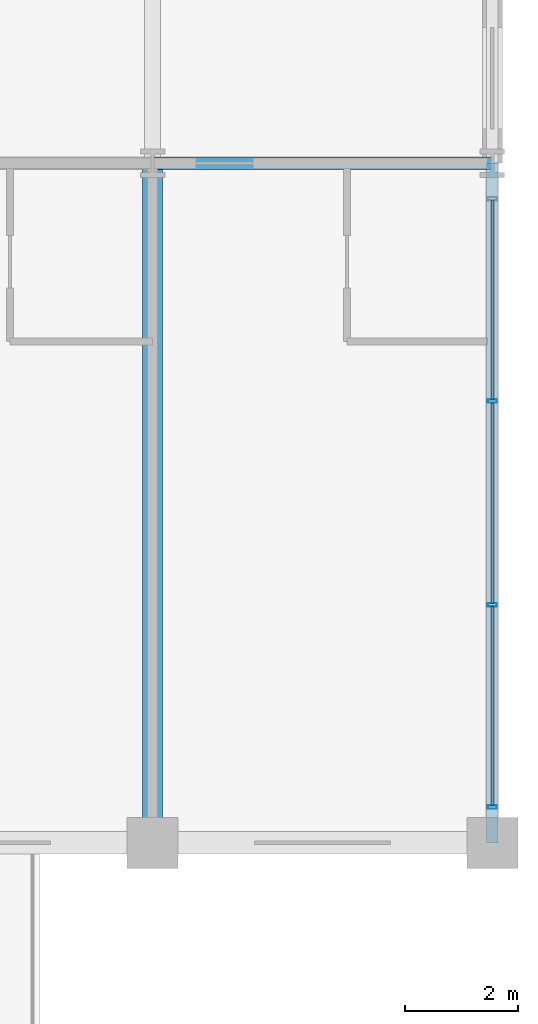
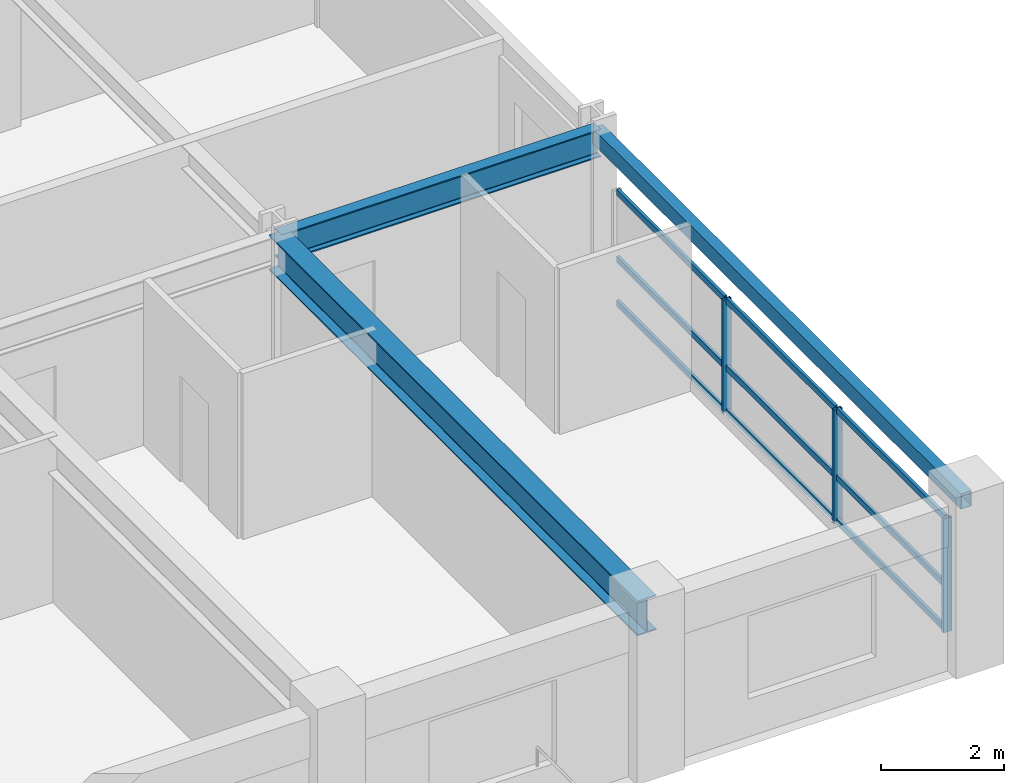
# One storey, part 12 of 24: 12 members, 3 beams, 1 element without a shape of its own.
"""IFC4 building model written with IfcOpenShell, lengths in metres."""

from ifc_helpers import new_model, si_unit, direction, frame, origin, origin_2d, place, context, subcontext, project, spatial, hollow_rectangle, i_section, extrude, material, material_profile, profile_set, type_object, element, aggregate, save


model = new_model("IFC4")

# Units and contexts
model_context = context("Model", 3, precision=1e-05, world=origin(), true_north=direction((0.0, 1.0)))
body_context = subcontext(model_context, "Body", "Model", "MODEL_VIEW")
ifc_project = project(units=[si_unit("LENGTHUNIT", "METRE"), si_unit("AREAUNIT", "SQUARE_METRE"), si_unit("VOLUMEUNIT", "CUBIC_METRE"), si_unit("PLANEANGLEUNIT", "RADIAN"), si_unit("MASSUNIT", "GRAM", prefix="KILO")], contexts=[model_context])

# Site, building, storey
site_placement = place(None, origin())
site = spatial("IfcSite", under=ifc_project, at=site_placement, CompositionType="ELEMENT")
building_placement = place(site_placement, origin())
building = spatial("IfcBuilding", under=site, at=building_placement, Name="Kaldorvane Square Convention Centre", CompositionType="ELEMENT")
storey_placement = place(building_placement, frame((0.0, 0.0, 27.600006103515625)))
storey = spatial("IfcBuildingStorey", under=building, at=storey_placement, Name="L05", CompositionType="ELEMENT", Elevation=27.600006103515625)

# Beams
ifc_material_1 = material(Name="Steel ASTM A992 Gr. 50", Category="steel")
ifc_material_profile_1 = material_profile(ifc_material_1, i_section(OverallWidth=0.213897705078125, OverallDepth=0.549102783203125, WebThickness=0.0146942138671875, FlangeThickness=0.0236053466796875, FilletRadius=0.0126953125, at=origin_2d()), Name="W21X93")
ifc_profile_set_1 = profile_set([ifc_material_profile_1], Name="Steel ASTM A992 Gr. 50")
beam_type_1 = type_object("IfcBeamType", Name="BM-GR-W21X93", PredefinedType="BEAM", material=ifc_profile_set_1)
beam_1_placement = place(storey_placement, frame((90.0, 96.0, 3.0114898681640625), z_axis=(1.0, 0.0, 0.0), x_axis=(0.0, 1.0, 0.0)))
element("IfcBeam", 1, at=beam_1_placement, inside=storey, type_object=beam_type_1, Name="Primary Girder (L05)", PredefinedType="BEAM", context=body_context, shape_type="SweptSolid", body=[
    extrude(i_section(OverallWidth=0.213897705078125, OverallDepth=0.549102783203125, WebThickness=0.0146942138671875, FlangeThickness=0.0236053466796875, FilletRadius=0.0126953125, at=origin_2d()), origin(), (0.0, 0.0, 1.0), 6.0),
])
ifc_material_profile_2 = material_profile(ifc_material_1, i_section(OverallWidth=0.354705810546875, OverallDepth=0.69549560546875, WebThickness=0.0153961181640625, FlangeThickness=0.0251007080078125, FilletRadius=0.01519775390625, at=origin_2d()), Name="W27X146")
ifc_profile_set_2 = profile_set([ifc_material_profile_2], Name="Steel ASTM A992 Gr. 50")
beam_type_2 = type_object("IfcBeamType", Name="BM-GR-W27X146", PredefinedType="BEAM", material=ifc_profile_set_2)
beam_2_placement = place(storey_placement, frame((90.0, 84.0, 2.93829345703125), z_axis=(0.0, 1.0, 0.0), x_axis=(-1.0, 0.0, 0.0)))
element("IfcBeam", 2, at=beam_2_placement, inside=storey, type_object=beam_type_2, Name="Transverse Girder (L05)", PredefinedType="BEAM", context=body_context, shape_type="SweptSolid", body=[
    extrude(i_section(OverallWidth=0.354705810546875, OverallDepth=0.69549560546875, WebThickness=0.0153961181640625, FlangeThickness=0.0251007080078125, FilletRadius=0.01519775390625, at=origin_2d()), origin(), (0.0, 0.0, 1.0), 12.0),
])
ifc_material_2 = material(Name="Steel ASTM A500 Gr. C", Category="steel")
ifc_material_profile_3 = material_profile(ifc_material_2, hollow_rectangle(XDim=0.2032012939453125, YDim=0.3047943115234375, WallThickness=0.0088958740234375, at=origin_2d()), Name="HSS12X8X3/8")
ifc_profile_set_3 = profile_set([ifc_material_profile_3], Name="Steel ASTM A500 Gr. C")
beam_type_3 = type_object("IfcBeamType", Name="BM-SP-HSS12", PredefinedType="SPANDREL", material=ifc_profile_set_3)
beam_3_placement = place(storey_placement, frame((96.0, 84.0, 3.1335906982421875), z_axis=(0.0, 1.0, 0.0), x_axis=(-1.0, 0.0, 0.0)))
element("IfcBeam", 3, at=beam_3_placement, inside=storey, type_object=beam_type_3, Name="End Spandrel (L05)", PredefinedType="SPANDREL", context=body_context, shape_type="SweptSolid", body=[
    extrude(hollow_rectangle(XDim=0.2032012939453125, YDim=0.3047943115234375, WallThickness=0.0088958740234375, at=origin_2d()), origin(), (0.0, 0.0, 1.0), 12.0),
])

# Curtain wall, members
ifc_material_3 = material(Name="Anodized Aluminum and Low-E Insulated Glazing", Category="aluminium")
curtain_wall_type = type_object("IfcCurtainWallType", Name="CW-UNI-HTL-A", PredefinedType="USERDEFINED", material=ifc_material_3)
curtain_wall_placement = place(storey_placement, origin())
curtain_wall = element("IfcCurtainWall", 4, at=curtain_wall_placement, inside=storey, type_object=curtain_wall_type, Name="Curtain Wall CW-10 (L05)", ObjectType="UNITISED GLAZING", PredefinedType="USERDEFINED")
ifc_material_profile_4 = material_profile(ifc_material_3, hollow_rectangle(XDim=0.05999755859375, YDim=0.160003662109375, WallThickness=0.003204345703125, at=origin_2d()), Name="CWM-160X60")
ifc_profile_set_4 = profile_set([ifc_material_profile_4], Name="Anodized Aluminum and Low-E Insulated Glazing")
member_type_1 = type_object("IfcMemberType", Name="CW-MUL-160", PredefinedType="MULLION", material=ifc_profile_set_4)
member_1_placement = place(storey_placement, frame((96.0, 84.6300048828125, 0.149993896484375), z_axis=(0.0, 0.0, 1.0), x_axis=(0.0, 1.0, 0.0)))
member_1 = element("IfcMember", 5, at=member_1_placement, type_object=member_type_1, Name="CW-10 mullion 1", PredefinedType="MULLION", context=body_context, shape_type="SweptSolid", body=[
    extrude(hollow_rectangle(XDim=0.05999755859375, YDim=0.160003662109375, WallThickness=0.003204345703125, at=origin_2d()), origin(), (0.0, 0.0, 1.0), 2.2599945068359375),
])
member_2_placement = place(storey_placement, frame((96.0, 88.19999694824219, 0.149993896484375), z_axis=(0.0, 0.0, 1.0), x_axis=(0.0, 1.0, 0.0)))
member_2 = element("IfcMember", 6, at=member_2_placement, type_object=member_type_1, Name="CW-10 mullion 2", PredefinedType="MULLION", context=body_context, shape_type="SweptSolid", body=[
    extrude(hollow_rectangle(XDim=0.05999755859375, YDim=0.160003662109375, WallThickness=0.003204345703125, at=origin_2d()), origin(), (0.0, 0.0, 1.0), 2.2599945068359375),
])
member_3_placement = place(storey_placement, frame((96.0, 91.80000305175781, 0.149993896484375), z_axis=(0.0, 0.0, 1.0), x_axis=(0.0, 1.0, 0.0)))
member_3 = element("IfcMember", 7, at=member_3_placement, type_object=member_type_1, Name="CW-10 mullion 3", PredefinedType="MULLION", context=body_context, shape_type="SweptSolid", body=[
    extrude(hollow_rectangle(XDim=0.05999755859375, YDim=0.160003662109375, WallThickness=0.003204345703125, at=origin_2d()), origin(), (0.0, 0.0, 1.0), 2.2599945068359375),
])
ifc_material_profile_5 = material_profile(ifc_material_3, hollow_rectangle(XDim=0.05499267578125, YDim=0.1199951171875, WallThickness=0.0030059814453125, at=origin_2d()), Name="CWT-120X55")
ifc_profile_set_5 = profile_set([ifc_material_profile_5], Name="Anodized Aluminum and Low-E Insulated Glazing")
member_type_2 = type_object("IfcMemberType", Name="CW-TRN-120", PredefinedType="USERDEFINED", material=ifc_profile_set_5)
member_4_placement = place(storey_placement, frame((96.0, 84.66000366210938, 0.177490234375), z_axis=(0.0, 1.0, 0.0), x_axis=(-1.0, 0.0, 0.0)))
member_4 = element("IfcMember", 8, at=member_4_placement, type_object=member_type_2, Name="CW-10 transom 1.1", ObjectType="TRANSOM", PredefinedType="USERDEFINED", context=body_context, shape_type="SweptSolid", body=[
    extrude(hollow_rectangle(XDim=0.05499267578125, YDim=0.1199951171875, WallThickness=0.0030059814453125, at=origin_2d()), origin(), (0.0, 0.0, 1.0), 3.5099945068359375),
])
member_5_placement = place(storey_placement, frame((96.0, 84.66000366210938, 1.04998779296875), z_axis=(0.0, 1.0, 0.0), x_axis=(-1.0, 0.0, 0.0)))
member_5 = element("IfcMember", 9, at=member_5_placement, type_object=member_type_2, Name="CW-10 transom 1.2", ObjectType="TRANSOM", PredefinedType="USERDEFINED", context=body_context, shape_type="SweptSolid", body=[
    extrude(hollow_rectangle(XDim=0.05499267578125, YDim=0.1199951171875, WallThickness=0.0030059814453125, at=origin_2d()), origin(), (0.0, 0.0, 1.0), 3.5099945068359375),
])
member_6_placement = place(storey_placement, frame((96.0, 84.66000366210938, 2.3824920654296875), z_axis=(0.0, 1.0, 0.0), x_axis=(-1.0, 0.0, 0.0)))
member_6 = element("IfcMember", 10, at=member_6_placement, type_object=member_type_2, Name="CW-10 transom 1.3", ObjectType="TRANSOM", PredefinedType="USERDEFINED", context=body_context, shape_type="SweptSolid", body=[
    extrude(hollow_rectangle(XDim=0.05499267578125, YDim=0.1199951171875, WallThickness=0.0030059814453125, at=origin_2d()), origin(), (0.0, 0.0, 1.0), 3.5099945068359375),
])
member_7_placement = place(storey_placement, frame((96.0, 88.22999572753906, 0.177490234375), z_axis=(0.0, 1.0, 0.0), x_axis=(-1.0, 0.0, 0.0)))
member_7 = element("IfcMember", 11, at=member_7_placement, type_object=member_type_2, Name="CW-10 transom 2.1", ObjectType="TRANSOM", PredefinedType="USERDEFINED", context=body_context, shape_type="SweptSolid", body=[
    extrude(hollow_rectangle(XDim=0.05499267578125, YDim=0.1199951171875, WallThickness=0.0030059814453125, at=origin_2d()), origin(), (0.0, 0.0, 1.0), 3.540008544921875),
])
member_8_placement = place(storey_placement, frame((96.0, 88.22999572753906, 1.04998779296875), z_axis=(0.0, 1.0, 0.0), x_axis=(-1.0, 0.0, 0.0)))
member_8 = element("IfcMember", 12, at=member_8_placement, type_object=member_type_2, Name="CW-10 transom 2.2", ObjectType="TRANSOM", PredefinedType="USERDEFINED", context=body_context, shape_type="SweptSolid", body=[
    extrude(hollow_rectangle(XDim=0.05499267578125, YDim=0.1199951171875, WallThickness=0.0030059814453125, at=origin_2d()), origin(), (0.0, 0.0, 1.0), 3.540008544921875),
])
member_9_placement = place(storey_placement, frame((96.0, 88.22999572753906, 2.3824920654296875), z_axis=(0.0, 1.0, 0.0), x_axis=(-1.0, 0.0, 0.0)))
member_9 = element("IfcMember", 13, at=member_9_placement, type_object=member_type_2, Name="CW-10 transom 2.3", ObjectType="TRANSOM", PredefinedType="USERDEFINED", context=body_context, shape_type="SweptSolid", body=[
    extrude(hollow_rectangle(XDim=0.05499267578125, YDim=0.1199951171875, WallThickness=0.0030059814453125, at=origin_2d()), origin(), (0.0, 0.0, 1.0), 3.540008544921875),
])
member_10_placement = place(storey_placement, frame((96.0, 91.83000183105469, 0.177490234375), z_axis=(0.0, 1.0, 0.0), x_axis=(-1.0, 0.0, 0.0)))
member_10 = element("IfcMember", 14, at=member_10_placement, type_object=member_type_2, Name="CW-10 transom 3.1", ObjectType="TRANSOM", PredefinedType="USERDEFINED", context=body_context, shape_type="SweptSolid", body=[
    extrude(hollow_rectangle(XDim=0.05499267578125, YDim=0.1199951171875, WallThickness=0.0030059814453125, at=origin_2d()), origin(), (0.0, 0.0, 1.0), 3.5099945068359375),
])
member_11_placement = place(storey_placement, frame((96.0, 91.83000183105469, 1.04998779296875), z_axis=(0.0, 1.0, 0.0), x_axis=(-1.0, 0.0, 0.0)))
member_11 = element("IfcMember", 15, at=member_11_placement, type_object=member_type_2, Name="CW-10 transom 3.2", ObjectType="TRANSOM", PredefinedType="USERDEFINED", context=body_context, shape_type="SweptSolid", body=[
    extrude(hollow_rectangle(XDim=0.05499267578125, YDim=0.1199951171875, WallThickness=0.0030059814453125, at=origin_2d()), origin(), (0.0, 0.0, 1.0), 3.5099945068359375),
])
member_12_placement = place(storey_placement, frame((96.0, 91.83000183105469, 2.3824920654296875), z_axis=(0.0, 1.0, 0.0), x_axis=(-1.0, 0.0, 0.0)))
member_12 = element("IfcMember", 16, at=member_12_placement, type_object=member_type_2, Name="CW-10 transom 3.3", ObjectType="TRANSOM", PredefinedType="USERDEFINED", context=body_context, shape_type="SweptSolid", body=[
    extrude(hollow_rectangle(XDim=0.05499267578125, YDim=0.1199951171875, WallThickness=0.0030059814453125, at=origin_2d()), origin(), (0.0, 0.0, 1.0), 3.5099945068359375),
])
aggregate(curtain_wall, [member_1, member_2, member_3, member_4, member_5, member_6, member_7, member_8, member_9, member_10, member_11, member_12])

save(model, "model.ifc")
